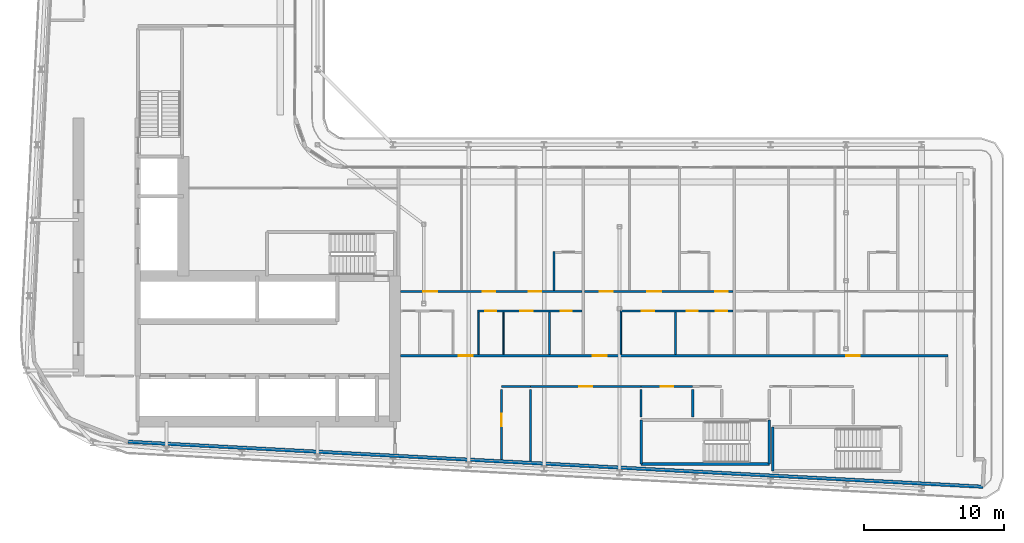
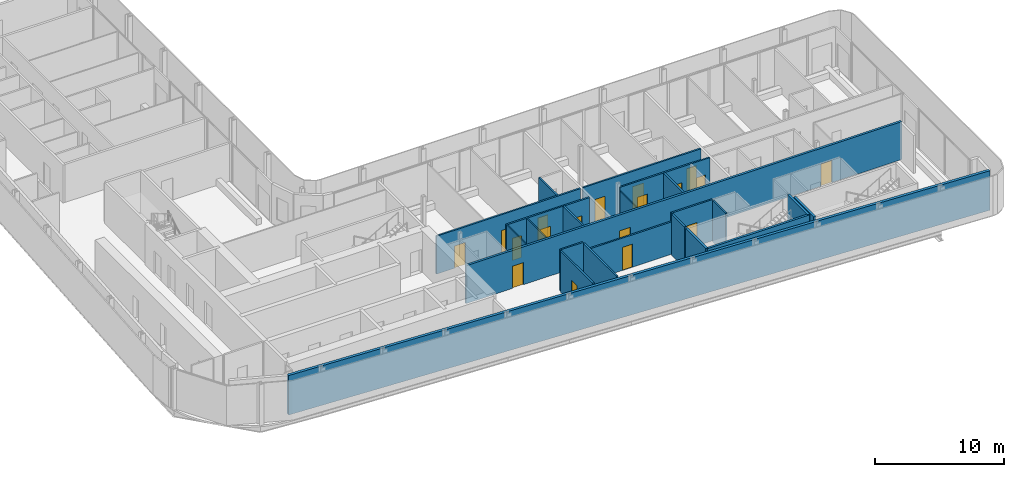
# One storey, part 17 of 30: 23 walls, 18 doors, 18 openings.
"""IFC4 building model written with IfcOpenShell, lengths in metres."""

from ifc_helpers import new_model, si_unit, direction, frame, frame_2d, origin, place, context, subcontext, project, spatial, rectangle, extrude, source, transform, mapped, material, layer, layer_set, type_object, element, fill, save


model = new_model("IFC4")

# Units and contexts
model_context = context("Model", 3, precision=1e-05, world=origin(), true_north=direction((0.0, 1.0)))
body_context = subcontext(model_context, "Body", "Model", "MODEL_VIEW")
ifc_project = project(units=[si_unit("LENGTHUNIT", "METRE"), si_unit("AREAUNIT", "SQUARE_METRE"), si_unit("VOLUMEUNIT", "CUBIC_METRE"), si_unit("PLANEANGLEUNIT", "RADIAN"), si_unit("MASSUNIT", "GRAM", prefix="KILO")], contexts=[model_context])

# Site, building, storey
site_placement = place(None, origin())
site = spatial("IfcSite", under=ifc_project, at=site_placement, CompositionType="ELEMENT")
building_placement = place(site_placement, origin())
building = spatial("IfcBuilding", under=site, at=building_placement, Name="Kheshtan School and Residences Tower", CompositionType="ELEMENT")
storey_placement = place(building_placement, frame((0.0, 0.0, 164.300048828125)))
storey = spatial("IfcBuildingStorey", under=building, at=storey_placement, Name="L38", CompositionType="ELEMENT", Elevation=164.300048828125)

# Wall, openings, doors
ifc_material_1 = material(Name="Gypsum board on steel studs with fire boards", Category="steel")
ifc_layer_1 = layer(ifc_material_1, 0.199951171875)
ifc_layer_set_1 = layer_set([ifc_layer_1], Name="Corridor wall 200")
wall_type_1 = type_object("IfcWallType", Name="Corridor wall 200", PredefinedType="PARTITIONING", material=ifc_layer_set_1)
wall_1_placement = place(storey_placement, frame((53.549072265625, 30.5, 0.0), z_axis=(0.0, 0.0, 1.0), x_axis=(1.0, 0.0, 0.0)))
wall_1 = element("IfcWall", 1, at=wall_1_placement, inside=storey, type_object=wall_type_1, Name="Partition L38-039", PredefinedType="PARTITIONING", context=body_context, shape_type="SweptSolid", body=[
    extrude(rectangle(XDim=39.15087890625, YDim=0.199951171875, at=frame_2d((19.575439453125, 0.0))), origin(), (0.0, 0.0, 1.0), 3.599853515625),
])
opening_1_placement = place(wall_1_placement, frame((4.15087890625, 0.0, 0.0)))
opening_1 = element("IfcOpeningElement", 2, at=opening_1_placement, cuts=wall_1, Name="Opening D37-005", PredefinedType="OPENING", context=body_context, shape_type="SweptSolid", body=[
    extrude(rectangle(XDim=1.0, YDim=2.10009765625, at=frame_2d((0.5, 1.050048828125))), frame((0.0, 0.10986328125, 0.0), z_axis=(0.0, -1.0, 0.0), x_axis=(1.0, 0.0, 0.0)), (0.0, 0.0, 1.0), 0.219970703125),
])
opening_2_placement = place(wall_1_placement, frame((13.7509765625, 0.0, 0.0)))
opening_2 = element("IfcOpeningElement", 3, at=opening_2_placement, cuts=wall_1, Name="Opening D37-014", PredefinedType="OPENING", context=body_context, shape_type="SweptSolid", body=[
    extrude(rectangle(XDim=1.0, YDim=2.10009765625, at=frame_2d((0.5, 1.050048828125))), frame((0.0, 0.10986328125, 0.0), z_axis=(0.0, -1.0, 0.0), x_axis=(1.0, 0.0, 0.0)), (0.0, 0.0, 1.0), 0.219970703125),
])
opening_3_placement = place(wall_1_placement, frame((31.85107421875, 0.0, 0.0)))
opening_3 = element("IfcOpeningElement", 4, at=opening_3_placement, cuts=wall_1, Name="Opening D37-023", PredefinedType="OPENING", context=body_context, shape_type="SweptSolid", body=[
    extrude(rectangle(XDim=1.0, YDim=2.10009765625, at=frame_2d((0.5, 1.050048828125))), frame((0.0, 0.10986328125, 0.0), z_axis=(0.0, -1.0, 0.0), x_axis=(1.0, 0.0, 0.0)), (0.0, 0.0, 1.0), 0.219970703125),
])
ifc_material_2 = material(Name="Steel-framed fire-resisting door leaf", Category="steel")
door_type_1 = type_object("IfcDoorType", Name="Fire door FD30S 1000 x 2100", OperationType="SINGLE_SWING_LEFT", PredefinedType="DOOR", material=ifc_material_2)
shared_shape_1 = source(origin(), body_context, "Body", "SweptSolid", [
    extrude(rectangle(XDim=1.0, YDim=2.10009765625, at=frame_2d((0.5, 1.050048828125))), frame((0.0, 0.02490234375, 0.0), z_axis=(0.0, -1.0, 0.0), x_axis=(1.0, 0.0, 0.0)), (0.0, 0.0, 1.0), 0.050048828125),
])
door_1_placement = place(opening_1_placement, origin())
door_1 = element("IfcDoor", 5, at=door_1_placement, inside=storey, type_object=door_type_1, Name="Door D37-005", OperationType="SINGLE_SWING_RIGHT", OverallHeight=2.10009765625, OverallWidth=1.0, PredefinedType="DOOR", context=body_context, shape_type="MappedRepresentation", body=[
    mapped(shared_shape_1, transform((0.0, 0.0, 0.0), x_axis=(1.0, 0.0, 0.0), y_axis=(0.0, 1.0, 0.0), z_axis=(0.0, 0.0, 1.0), scale=1.0)),
])
fill(opening_1, door_1)
door_2_placement = place(opening_2_placement, origin())
door_2 = element("IfcDoor", 6, at=door_2_placement, inside=storey, type_object=door_type_1, Name="Door D37-014", OperationType="SINGLE_SWING_LEFT", OverallHeight=2.10009765625, OverallWidth=1.0, PredefinedType="DOOR", context=body_context, shape_type="MappedRepresentation", body=[
    mapped(shared_shape_1, transform((0.0, 0.0, 0.0), x_axis=(1.0, 0.0, 0.0), y_axis=(0.0, 1.0, 0.0), z_axis=(0.0, 0.0, 1.0), scale=1.0)),
])
fill(opening_2, door_2)
door_3_placement = place(opening_3_placement, origin())
door_3 = element("IfcDoor", 7, at=door_3_placement, inside=storey, type_object=door_type_1, Name="Door D37-023", OperationType="SINGLE_SWING_RIGHT", OverallHeight=2.10009765625, OverallWidth=1.0, PredefinedType="DOOR", context=body_context, shape_type="MappedRepresentation", body=[
    mapped(shared_shape_1, transform((0.0, 0.0, 0.0), x_axis=(1.0, 0.0, 0.0), y_axis=(0.0, 1.0, 0.0), z_axis=(0.0, 0.0, 1.0), scale=1.0)),
])
fill(opening_3, door_3)

# Walls
ifc_material_3 = material(Name="Concrete C40/50 with ceramic cladding and mineral wool insulation", Category="concrete")
ifc_layer_2 = layer(ifc_material_3, 0.25)
ifc_layer_set_2 = layer_set([ifc_layer_2], Name="External wall 250 ceramic clad")
wall_type_2 = type_object("IfcWallType", Name="External wall 250 ceramic clad", PredefinedType="SOLIDWALL", material=ifc_layer_set_2)
wall_2_placement = place(storey_placement, frame((95.18603515625, 21.134033203125, 0.0), z_axis=(0.0, 0.0, 1.0), x_axis=(-0.998617201448, 0.052570761569, 0.0)))
element("IfcWall", 8, at=wall_2_placement, inside=storey, type_object=wall_type_2, Name="External wall L38 16", PredefinedType="SOLIDWALL", context=body_context, shape_type="SweptSolid", body=[
    extrude(rectangle(XDim=61.231689453125, YDim=0.25, at=frame_2d((30.61572265625, 0.0))), origin(), (0.0, 0.0, 1.0), 3.75),
])
ifc_material_4 = material(Name="Gypsum board on steel studs", Category="steel")
ifc_layer_3 = layer(ifc_material_4, 0.10009765625)
ifc_layer_set_3 = layer_set([ifc_layer_3], Name="Gypsum partition 100")
wall_type_3 = type_object("IfcWallType", Name="Gypsum partition 100", PredefinedType="PARTITIONING", material=ifc_layer_set_3)
for number, where, z_axis, x_axis, name in (
    (9, (59.10009765625, 30.60009765625, 0.0), (0.0, 0.0, 1.0), (0.0, 1.0, 0.0), "Partition L38-046"),
    (10, (60.89990234375, 30.60009765625, 0.0), (0.0, 0.0, 1.0), (0.0, 1.0, 0.0), "Partition L38-047"),
):
    element("IfcWall", number, at=place(storey_placement, frame(where, z_axis=z_axis, x_axis=x_axis)), inside=storey, type_object=wall_type_3, Name=name, PredefinedType="PARTITIONING", context=body_context, shape_type="SweptSolid", body=[
        extrude(rectangle(XDim=3.02490234375, YDim=0.10009765625, at=frame_2d((1.512451171875, 0.0))), origin(), (0.0, 0.0, 1.0), 3.599853515625),
    ])
wall_3_placement = place(storey_placement, frame((69.300048828125, 30.60009765625, 0.0), z_axis=(0.0, 0.0, 1.0), x_axis=(0.0, 1.0, 0.0)))
element("IfcWall", 11, at=wall_3_placement, inside=storey, type_object=wall_type_3, Name="Partition L38-055", PredefinedType="PARTITIONING", context=body_context, shape_type="SweptSolid", body=[
    extrude(rectangle(XDim=3.02490234375, YDim=0.10009765625, at=frame_2d((1.512451171875, 0.0))), origin(), (0.0, 0.0, 1.0), 3.217041015625),
])
ifc_material_5 = material(Name="Fire-board shaft wall system")
ifc_layer_4 = layer(ifc_material_5, 0.14990234375)
ifc_layer_set_4 = layer_set([ifc_layer_4], Name="Service room wall 150")
wall_type_4 = type_object("IfcWallType", Name="Service room wall 150", PredefinedType="PARTITIONING", material=ifc_layer_set_4)
wall_4_placement = place(storey_placement, frame((60.75, 28.300048828125, 0.0), z_axis=(0.0, 0.0, 1.0), x_axis=(1.0, 0.0, 0.0)))
element("IfcWall", 12, at=wall_4_placement, inside=storey, type_object=wall_type_4, Name="Service room wall", PredefinedType="PARTITIONING", context=body_context, shape_type="SweptSolid", body=[
    extrude(rectangle(XDim=2.069091796875, YDim=0.14990234375, at=frame_2d((1.03466796875, 0.0))), origin(), (0.0, 0.0, 1.0), 3.89990234375),
])

# Wall, opening, door
wall_5_placement = place(storey_placement, frame((60.75, 23.074951171875, 0.0), z_axis=(0.0, 0.0, 1.0), x_axis=(0.0, 1.0, 0.0)))
wall_5 = element("IfcWall", 13, at=wall_5_placement, inside=storey, type_object=wall_type_4, Name="Service room wall", PredefinedType="PARTITIONING", context=body_context, shape_type="SweptSolid", body=[
    extrude(rectangle(XDim=5.030029296875, YDim=0.14990234375, at=frame_2d((2.51513671875, 0.0))), origin(), (0.0, 0.0, 1.0), 3.89990234375),
])
opening_4_placement = place(wall_5_placement, frame((2.386962890625, 0.0, 0.0)))
opening_4 = element("IfcOpeningElement", 14, at=opening_4_placement, cuts=wall_5, Name="Opening SR90", PredefinedType="OPENING", context=body_context, shape_type="SweptSolid", body=[
    extrude(rectangle(XDim=0.89990234375, YDim=2.199951171875, at=frame_2d((0.449951171875, 1.10009765625))), frame((0.0, 0.0849609375, 0.0), z_axis=(0.0, -1.0, 0.0), x_axis=(1.0, 0.0, 0.0)), (0.0, 0.0, 1.0), 0.169921875),
])
ifc_material_6 = material(Name="Steel door leaf, galvanised", Category="steel")
door_type_2 = type_object("IfcDoorType", Name="Service room door 900 steel 90 min", OperationType="SINGLE_SWING_LEFT", PredefinedType="DOOR", material=ifc_material_6)
shared_shape_2 = source(origin(), body_context, "Body", "SweptSolid", [
    extrude(rectangle(XDim=0.89990234375, YDim=2.199951171875, at=frame_2d((0.449951171875, 1.10009765625))), frame((0.0, 0.02490234375, 0.0), z_axis=(0.0, -1.0, 0.0), x_axis=(1.0, 0.0, 0.0)), (0.0, 0.0, 1.0), 0.050048828125),
])
door_4_placement = place(opening_4_placement, origin())
door_4 = element("IfcDoor", 15, at=door_4_placement, inside=storey, type_object=door_type_2, Name="Service room door", OperationType="SINGLE_SWING_LEFT", OverallHeight=2.199951171875, OverallWidth=0.89990234375, PredefinedType="DOOR", context=body_context, shape_type="MappedRepresentation", body=[
    mapped(shared_shape_2, transform((0.0, 0.0, 0.0), x_axis=(1.0, 0.0, 0.0), y_axis=(0.0, 1.0, 0.0), z_axis=(0.0, 0.0, 1.0), scale=1.0)),
])
fill(opening_4, door_4)

# Wall
wall_6_placement = place(storey_placement, frame((62.819091796875, 22.966064453125, 0.0), z_axis=(0.0, 0.0, 1.0), x_axis=(0.0, 1.0, 0.0)))
element("IfcWall", 16, at=wall_6_placement, inside=storey, type_object=wall_type_4, Name="Service room wall", PredefinedType="PARTITIONING", context=body_context, shape_type="SweptSolid", body=[
    extrude(rectangle(XDim=5.138916015625, YDim=0.14990234375, at=frame_2d((2.5693359375, 0.0))), origin(), (0.0, 0.0, 1.0), 3.89990234375),
])

# Wall, opening, door
wall_7_placement = place(storey_placement, frame((62.819091796875, 28.300048828125, 0.0), z_axis=(0.0, 0.0, 1.0), x_axis=(1.0, 0.0, 0.0)))
wall_7 = element("IfcWall", 17, at=wall_7_placement, inside=storey, type_object=wall_type_4, Name="Service room wall", PredefinedType="PARTITIONING", context=body_context, shape_type="SweptSolid", body=[
    extrude(rectangle(XDim=7.930908203125, YDim=0.14990234375, at=frame_2d((3.96533203125, 0.0))), origin(), (0.0, 0.0, 1.0), 3.072021484375),
])
opening_5_placement = place(wall_7_placement, frame((3.514892578125, 0.0, 0.0)))
opening_5 = element("IfcOpeningElement", 18, at=opening_5_placement, cuts=wall_7, Name="Opening SR90", PredefinedType="OPENING", context=body_context, shape_type="SweptSolid", body=[
    extrude(rectangle(XDim=0.89990234375, YDim=2.199951171875, at=frame_2d((0.449951171875, 1.10009765625))), frame((0.0, 0.0849609375, 0.0), z_axis=(0.0, -1.0, 0.0), x_axis=(1.0, 0.0, 0.0)), (0.0, 0.0, 1.0), 0.169921875),
])
door_5_placement = place(opening_5_placement, origin())
door_5 = element("IfcDoor", 19, at=door_5_placement, inside=storey, type_object=door_type_2, Name="Service room door", OperationType="SINGLE_SWING_RIGHT", OverallHeight=2.199951171875, OverallWidth=0.89990234375, PredefinedType="DOOR", context=body_context, shape_type="MappedRepresentation", body=[
    mapped(shared_shape_2, transform((0.0, 0.0, 0.0), x_axis=(1.0, 0.0, 0.0), y_axis=(0.0, 1.0, 0.0), z_axis=(0.0, 0.0, 1.0), scale=1.0)),
])
fill(opening_5, door_5)

# Wall
wall_8_placement = place(storey_placement, frame((70.75, 26.1201171875, 0.0), z_axis=(0.0, 0.0, 1.0), x_axis=(0.0, 1.0, 0.0)))
element("IfcWall", 20, at=wall_8_placement, inside=storey, type_object=wall_type_4, Name="Service room wall", PredefinedType="PARTITIONING", context=body_context, shape_type="SweptSolid", body=[
    extrude(rectangle(XDim=1.98486328125, YDim=0.14990234375, at=frame_2d((0.992431640625, 0.0))), origin(), (0.0, 0.0, 1.0), 3.89990234375),
])

# Wall, opening, door
wall_9_placement = place(storey_placement, frame((70.75, 28.300048828125, 0.0), z_axis=(0.0, 0.0, 1.0), x_axis=(1.0, 0.0, 0.0)))
wall_9 = element("IfcWall", 21, at=wall_9_placement, inside=storey, type_object=wall_type_4, Name="Service room wall", PredefinedType="PARTITIONING", context=body_context, shape_type="SweptSolid", body=[
    extrude(rectangle(XDim=3.68603515625, YDim=0.14990234375, at=frame_2d((1.843017578125, 0.0))), origin(), (0.0, 0.0, 1.0), 3.89990234375),
])
opening_6_placement = place(wall_9_placement, frame((1.39306640625, 0.0, 0.0)))
opening_6 = element("IfcOpeningElement", 22, at=opening_6_placement, cuts=wall_9, Name="Opening SR90", PredefinedType="OPENING", context=body_context, shape_type="SweptSolid", body=[
    extrude(rectangle(XDim=0.89990234375, YDim=2.199951171875, at=frame_2d((0.449951171875, 1.10009765625))), frame((0.0, 0.0849609375, 0.0), z_axis=(0.0, -1.0, 0.0), x_axis=(1.0, 0.0, 0.0)), (0.0, 0.0, 1.0), 0.169921875),
])
door_6_placement = place(opening_6_placement, origin())
door_6 = element("IfcDoor", 23, at=door_6_placement, inside=storey, type_object=door_type_2, Name="Service room door", OperationType="SINGLE_SWING_LEFT", OverallHeight=2.199951171875, OverallWidth=0.89990234375, PredefinedType="DOOR", context=body_context, shape_type="MappedRepresentation", body=[
    mapped(shared_shape_2, transform((0.0, 0.0, 0.0), x_axis=(1.0, 0.0, 0.0), y_axis=(0.0, 1.0, 0.0), z_axis=(0.0, 0.0, 1.0), scale=1.0)),
])
fill(opening_6, door_6)

# Walls
wall_10_placement = place(storey_placement, frame((74.43603515625, 26.1201171875, 0.0), z_axis=(0.0, 0.0, 1.0), x_axis=(0.0, 1.0, 0.0)))
element("IfcWall", 24, at=wall_10_placement, inside=storey, type_object=wall_type_4, Name="Service room wall", PredefinedType="PARTITIONING", context=body_context, shape_type="SweptSolid", body=[
    extrude(rectangle(XDim=1.98486328125, YDim=0.14990234375, at=frame_2d((0.992431640625, 0.0))), origin(), (0.0, 0.0, 1.0), 3.89990234375),
])
ifc_material_7 = material(Name="Concrete C40/50", Category="concrete")
ifc_layer_5 = layer(ifc_material_7, 0.199951171875)
ifc_layer_set_5 = layer_set([ifc_layer_5], Name="Stair enclosure wall 200 Concrete C40/50")
wall_type_5 = type_object("IfcWallType", Name="Stair enclosure wall 200 Concrete C40/50", PredefinedType="SHEAR", material=ifc_layer_set_5)
wall_11_placement = place(storey_placement, frame((80.159912109375, 22.25, 0.0), z_axis=(0.0, 0.0, 1.0), x_axis=(0.0, 1.0, 0.0)))
element("IfcWall", 25, at=wall_11_placement, inside=storey, type_object=wall_type_5, Name="Stair enclosure wall ST4", PredefinedType="SHEAR", context=body_context, shape_type="SweptSolid", body=[
    extrude(rectangle(XDim=3.14990234375, YDim=0.199951171875, at=frame_2d((1.574951171875, 0.0))), origin(), (0.0, 0.0, 1.0), 3.89990234375),
])
wall_12_placement = place(storey_placement, frame((70.75, 22.75, 0.0), z_axis=(0.0, 0.0, 1.0), x_axis=(1.0, 0.0, 0.0)))
element("IfcWall", 26, at=wall_12_placement, inside=storey, type_object=wall_type_5, Name="Stair enclosure wall ST5", PredefinedType="SHEAR", context=body_context, shape_type="SweptSolid", body=[
    extrude(rectangle(XDim=9.159912109375, YDim=0.199951171875, at=frame_2d((4.580078125, 0.0))), origin(), (0.0, 0.0, 1.0), 3.89990234375),
])
for number, where, z_axis, x_axis, name in (
    (27, (70.75, 22.75, 0.0), (0.0, 0.0, 1.0), (0.0, 1.0, 0.0), "Stair enclosure wall ST5"),
    (28, (79.909912109375, 22.75, 0.0), (0.0, 0.0, 1.0), (0.0, 1.0, 0.0), "Stair enclosure wall ST5"),
):
    element("IfcWall", number, at=place(storey_placement, frame(where, z_axis=z_axis, x_axis=x_axis)), inside=storey, type_object=wall_type_5, Name=name, PredefinedType="SHEAR", context=body_context, shape_type="SweptSolid", body=[
        extrude(rectangle(XDim=3.14990234375, YDim=0.199951171875, at=frame_2d((1.574951171875, 0.0))), origin(), (0.0, 0.0, 1.0), 3.89990234375),
    ])

# Wall, openings, doors
ifc_material_8 = material(Name="Moisture-resistant gypsum board on steel studs", Category="steel")
ifc_layer_6 = layer(ifc_material_8, 0.14990234375)
ifc_layer_set_6 = layer_set([ifc_layer_6], Name="Wet-room partition 150")
wall_type_6 = type_object("IfcWallType", Name="Wet-room partition 150", PredefinedType="PARTITIONING", material=ifc_layer_set_6)
wall_13_placement = place(storey_placement, frame((53.549072265625, 35.10009765625, 0.0), z_axis=(0.0, 0.0, 1.0), x_axis=(1.0, 0.0, 0.0)))
wall_13 = element("IfcWall", 29, at=wall_13_placement, inside=storey, type_object=wall_type_6, Name="Partition L38-041", PredefinedType="PARTITIONING", context=body_context, shape_type="SweptSolid", body=[
    extrude(rectangle(XDim=12.950927734375, YDim=0.14990234375, at=frame_2d((6.4755859375, 0.0))), origin(), (0.0, 0.0, 1.0), 3.599853515625),
])
opening_7_placement = place(wall_13_placement, frame((5.85107421875, 0.0, 0.0)))
opening_7 = element("IfcOpeningElement", 30, at=opening_7_placement, cuts=wall_13, Name="Opening D37-002", PredefinedType="OPENING", context=body_context, shape_type="SweptSolid", body=[
    extrude(rectangle(XDim=0.89990234375, YDim=2.10009765625, at=frame_2d((0.449951171875, 1.050048828125))), frame((0.0, 0.0849609375, 0.0), z_axis=(0.0, -1.0, 0.0), x_axis=(1.0, 0.0, 0.0)), (0.0, 0.0, 1.0), 0.169921875),
])
opening_8_placement = place(wall_13_placement, frame((1.60107421875, 0.0, 0.0)))
opening_8 = element("IfcOpeningElement", 31, at=opening_8_placement, cuts=wall_13, Name="Opening D37-007", PredefinedType="OPENING", context=body_context, shape_type="SweptSolid", body=[
    extrude(rectangle(XDim=1.0, YDim=2.10009765625, at=frame_2d((0.5, 1.050048828125))), frame((0.0, 0.0849609375, 0.0), z_axis=(0.0, -1.0, 0.0), x_axis=(1.0, 0.0, 0.0)), (0.0, 0.0, 1.0), 0.169921875),
])
opening_9_placement = place(wall_13_placement, frame((9.15087890625, 0.0, 0.0)))
opening_9 = element("IfcOpeningElement", 32, at=opening_9_placement, cuts=wall_13, Name="Opening D37-008", PredefinedType="OPENING", context=body_context, shape_type="SweptSolid", body=[
    extrude(rectangle(XDim=0.89990234375, YDim=2.10009765625, at=frame_2d((0.449951171875, 1.050048828125))), frame((0.0, 0.0849609375, 0.0), z_axis=(0.0, -1.0, 0.0), x_axis=(1.0, 0.0, 0.0)), (0.0, 0.0, 1.0), 0.169921875),
])
ifc_material_9 = material(Name="Veneered timber door leaf", Category="wood")
door_type_3 = type_object("IfcDoorType", Name="Door 1000 x 2100", OperationType="SINGLE_SWING_LEFT", PredefinedType="DOOR", material=ifc_material_9)
shared_shape_3 = source(origin(), body_context, "Body", "SweptSolid", [
    extrude(rectangle(XDim=1.0, YDim=2.10009765625, at=frame_2d((0.5, 1.050048828125))), frame((0.0, 0.02490234375, 0.0), z_axis=(0.0, -1.0, 0.0), x_axis=(1.0, 0.0, 0.0)), (0.0, 0.0, 1.0), 0.050048828125),
])
door_7_placement = place(opening_8_placement, origin())
door_7 = element("IfcDoor", 33, at=door_7_placement, inside=storey, type_object=door_type_3, Name="Door D37-007", OperationType="SINGLE_SWING_RIGHT", OverallHeight=2.10009765625, OverallWidth=1.0, PredefinedType="DOOR", context=body_context, shape_type="MappedRepresentation", body=[
    mapped(shared_shape_3, transform((0.0, 0.0, 0.0), x_axis=(1.0, 0.0, 0.0), y_axis=(0.0, 1.0, 0.0), z_axis=(0.0, 0.0, 1.0), scale=1.0)),
])
fill(opening_8, door_7)
door_type_4 = type_object("IfcDoorType", Name="Door 900 x 2100", OperationType="SINGLE_SWING_LEFT", PredefinedType="DOOR", material=ifc_material_9)
shared_shape_4 = source(origin(), body_context, "Body", "SweptSolid", [
    extrude(rectangle(XDim=0.89990234375, YDim=2.10009765625, at=frame_2d((0.449951171875, 1.050048828125))), frame((0.0, 0.02490234375, 0.0), z_axis=(0.0, -1.0, 0.0), x_axis=(1.0, 0.0, 0.0)), (0.0, 0.0, 1.0), 0.050048828125),
])
door_8_placement = place(opening_7_placement, origin())
door_8 = element("IfcDoor", 34, at=door_8_placement, inside=storey, type_object=door_type_4, Name="Door D37-002", OperationType="SINGLE_SWING_RIGHT", OverallHeight=2.10009765625, OverallWidth=0.89990234375, PredefinedType="DOOR", context=body_context, shape_type="MappedRepresentation", body=[
    mapped(shared_shape_4, transform((0.0, 0.0, 0.0), x_axis=(1.0, 0.0, 0.0), y_axis=(0.0, 1.0, 0.0), z_axis=(0.0, 0.0, 1.0), scale=1.0)),
])
fill(opening_7, door_8)
door_9_placement = place(opening_9_placement, origin())
door_9 = element("IfcDoor", 35, at=door_9_placement, inside=storey, type_object=door_type_4, Name="Door D37-008", OperationType="SINGLE_SWING_LEFT", OverallHeight=2.10009765625, OverallWidth=0.89990234375, PredefinedType="DOOR", context=body_context, shape_type="MappedRepresentation", body=[
    mapped(shared_shape_4, transform((0.0, 0.0, 0.0), x_axis=(1.0, 0.0, 0.0), y_axis=(0.0, 1.0, 0.0), z_axis=(0.0, 0.0, 1.0), scale=1.0)),
])
fill(opening_9, door_9)

wall_14_placement = place(storey_placement, frame((59.050048828125, 33.699951171875, 0.0), z_axis=(0.0, 0.0, 1.0), x_axis=(1.0, 0.0, 0.0)))
wall_14 = element("IfcWall", 36, at=wall_14_placement, inside=storey, type_object=wall_type_6, Name="Partition L38-045", PredefinedType="PARTITIONING", context=body_context, shape_type="SweptSolid", body=[
    extrude(rectangle(XDim=7.449951171875, YDim=0.14990234375, at=frame_2d((3.72509765625, 0.0))), origin(), (0.0, 0.0, 1.0), 3.599853515625),
])
opening_10_placement = place(wall_14_placement, frame((5.949951171875, 0.0, 0.0)))
opening_10 = element("IfcOpeningElement", 37, at=opening_10_placement, cuts=wall_14, Name="Opening D37-001", PredefinedType="OPENING", context=body_context, shape_type="SweptSolid", body=[
    extrude(rectangle(XDim=0.800048828125, YDim=2.10009765625, at=frame_2d((0.39990234375, 1.050048828125))), frame((0.0, 0.0849609375, 0.0), z_axis=(0.0, -1.0, 0.0), x_axis=(1.0, 0.0, 0.0)), (0.0, 0.0, 1.0), 0.169921875),
])
opening_11_placement = place(wall_14_placement, frame((3.050048828125, 0.0, 0.0)))
opening_11 = element("IfcOpeningElement", 38, at=opening_11_placement, cuts=wall_14, Name="Opening D37-006", PredefinedType="OPENING", context=body_context, shape_type="SweptSolid", body=[
    extrude(rectangle(XDim=0.89990234375, YDim=2.10009765625, at=frame_2d((0.449951171875, 1.050048828125))), frame((0.0, 0.0849609375, 0.0), z_axis=(0.0, -1.0, 0.0), x_axis=(1.0, 0.0, 0.0)), (0.0, 0.0, 1.0), 0.169921875),
])
opening_12_placement = place(wall_14_placement, frame((0.550048828125, 0.0, 0.0)))
opening_12 = element("IfcOpeningElement", 39, at=opening_12_placement, cuts=wall_14, Name="Opening D37-009", PredefinedType="OPENING", context=body_context, shape_type="SweptSolid", body=[
    extrude(rectangle(XDim=0.800048828125, YDim=2.10009765625, at=frame_2d((0.39990234375, 1.050048828125))), frame((0.0, 0.0849609375, 0.0), z_axis=(0.0, -1.0, 0.0), x_axis=(1.0, 0.0, 0.0)), (0.0, 0.0, 1.0), 0.169921875),
])
door_type_5 = type_object("IfcDoorType", Name="Door 800 x 2100", OperationType="SINGLE_SWING_LEFT", PredefinedType="DOOR", material=ifc_material_9)
shared_shape_5 = source(origin(), body_context, "Body", "SweptSolid", [
    extrude(rectangle(XDim=0.800048828125, YDim=2.10009765625, at=frame_2d((0.39990234375, 1.050048828125))), frame((0.0, 0.02490234375, 0.0), z_axis=(0.0, -1.0, 0.0), x_axis=(1.0, 0.0, 0.0)), (0.0, 0.0, 1.0), 0.050048828125),
])
door_10_placement = place(opening_10_placement, origin())
door_10 = element("IfcDoor", 40, at=door_10_placement, inside=storey, type_object=door_type_5, Name="Door D37-001", OperationType="SINGLE_SWING_LEFT", OverallHeight=2.10009765625, OverallWidth=0.800048828125, PredefinedType="DOOR", context=body_context, shape_type="MappedRepresentation", body=[
    mapped(shared_shape_5, transform((0.0, 0.0, 0.0), x_axis=(1.0, 0.0, 0.0), y_axis=(0.0, 1.0, 0.0), z_axis=(0.0, 0.0, 1.0), scale=1.0)),
])
fill(opening_10, door_10)
door_11_placement = place(opening_12_placement, origin())
door_11 = element("IfcDoor", 41, at=door_11_placement, inside=storey, type_object=door_type_5, Name="Door D37-009", OperationType="SINGLE_SWING_LEFT", OverallHeight=2.10009765625, OverallWidth=0.800048828125, PredefinedType="DOOR", context=body_context, shape_type="MappedRepresentation", body=[
    mapped(shared_shape_5, transform((0.0, 0.0, 0.0), x_axis=(1.0, 0.0, 0.0), y_axis=(0.0, 1.0, 0.0), z_axis=(0.0, 0.0, 1.0), scale=1.0)),
])
fill(opening_12, door_11)
door_12_placement = place(opening_11_placement, origin())
door_12 = element("IfcDoor", 42, at=door_12_placement, inside=storey, type_object=door_type_4, Name="Door D37-006", OperationType="SINGLE_SWING_LEFT", OverallHeight=2.10009765625, OverallWidth=0.89990234375, PredefinedType="DOOR", context=body_context, shape_type="MappedRepresentation", body=[
    mapped(shared_shape_4, transform((0.0, 0.0, 0.0), x_axis=(1.0, 0.0, 0.0), y_axis=(0.0, 1.0, 0.0), z_axis=(0.0, 0.0, 1.0), scale=1.0)),
])
fill(opening_11, door_12)

# Walls
wall_15_placement = place(storey_placement, frame((64.199951171875, 30.60009765625, 0.0), z_axis=(0.0, 0.0, 1.0), x_axis=(0.0, 1.0, 0.0)))
element("IfcWall", 43, at=wall_15_placement, inside=storey, type_object=wall_type_6, Name="Partition L38-049", PredefinedType="PARTITIONING", context=body_context, shape_type="SweptSolid", body=[
    extrude(rectangle(XDim=3.02490234375, YDim=0.14990234375, at=frame_2d((1.512451171875, 0.0))), origin(), (0.0, 0.0, 1.0), 3.599853515625),
])
wall_16_placement = place(storey_placement, frame((64.5, 35.175048828125, 0.0), z_axis=(0.0, 0.0, 1.0), x_axis=(0.0, 1.0, 0.0)))
element("IfcWall", 44, at=wall_16_placement, inside=storey, type_object=wall_type_6, Name="Partition L38-050", PredefinedType="PARTITIONING", context=body_context, shape_type="SweptSolid", body=[
    extrude(rectangle(XDim=2.800048828125, YDim=0.14990234375, at=frame_2d((1.39990234375, 0.0))), origin(), (0.0, 0.0, 1.0), 3.599853515625),
])

# Wall, openings, doors
wall_17_placement = place(storey_placement, frame((66.699951171875, 35.10009765625, 0.0), z_axis=(0.0, 0.0, 1.0), x_axis=(1.0, 0.0, 0.0)))
wall_17 = element("IfcWall", 45, at=wall_17_placement, inside=storey, type_object=wall_type_6, Name="Partition L38-053", PredefinedType="PARTITIONING", context=body_context, shape_type="SweptSolid", body=[
    extrude(rectangle(XDim=10.60009765625, YDim=0.14990234375, at=frame_2d((5.300048828125, 0.0))), origin(), (0.0, 0.0, 1.0), 3.599853515625),
])
opening_13_placement = place(wall_17_placement, frame((1.10009765625, 0.0, 0.0)))
opening_13 = element("IfcOpeningElement", 46, at=opening_13_placement, cuts=wall_17, Name="Opening D37-012", PredefinedType="OPENING", context=body_context, shape_type="SweptSolid", body=[
    extrude(rectangle(XDim=0.89990234375, YDim=2.10009765625, at=frame_2d((0.449951171875, 1.050048828125))), frame((0.0, 0.0849609375, 0.0), z_axis=(0.0, -1.0, 0.0), x_axis=(1.0, 0.0, 0.0)), (0.0, 0.0, 1.0), 0.169921875),
])
opening_14_placement = place(wall_17_placement, frame((4.5, 0.0, 0.0)))
opening_14 = element("IfcOpeningElement", 47, at=opening_14_placement, cuts=wall_17, Name="Opening D37-016", PredefinedType="OPENING", context=body_context, shape_type="SweptSolid", body=[
    extrude(rectangle(XDim=1.0, YDim=2.10009765625, at=frame_2d((0.5, 1.050048828125))), frame((0.0, 0.0849609375, 0.0), z_axis=(0.0, -1.0, 0.0), x_axis=(1.0, 0.0, 0.0)), (0.0, 0.0, 1.0), 0.169921875),
])
opening_15_placement = place(wall_17_placement, frame((9.35009765625, 0.0, 0.0)))
opening_15 = element("IfcOpeningElement", 48, at=opening_15_placement, cuts=wall_17, Name="Opening D37-017", PredefinedType="OPENING", context=body_context, shape_type="SweptSolid", body=[
    extrude(rectangle(XDim=0.89990234375, YDim=2.10009765625, at=frame_2d((0.449951171875, 1.050048828125))), frame((0.0, 0.0849609375, 0.0), z_axis=(0.0, -1.0, 0.0), x_axis=(1.0, 0.0, 0.0)), (0.0, 0.0, 1.0), 0.169921875),
])
door_13_placement = place(opening_14_placement, origin())
door_13 = element("IfcDoor", 49, at=door_13_placement, inside=storey, type_object=door_type_3, Name="Door D37-016", OperationType="SINGLE_SWING_RIGHT", OverallHeight=2.10009765625, OverallWidth=1.0, PredefinedType="DOOR", context=body_context, shape_type="MappedRepresentation", body=[
    mapped(shared_shape_3, transform((0.0, 0.0, 0.0), x_axis=(1.0, 0.0, 0.0), y_axis=(0.0, 1.0, 0.0), z_axis=(0.0, 0.0, 1.0), scale=1.0)),
])
fill(opening_14, door_13)
door_14_placement = place(opening_13_placement, origin())
door_14 = element("IfcDoor", 50, at=door_14_placement, inside=storey, type_object=door_type_4, Name="Door D37-012", OperationType="SINGLE_SWING_RIGHT", OverallHeight=2.10009765625, OverallWidth=0.89990234375, PredefinedType="DOOR", context=body_context, shape_type="MappedRepresentation", body=[
    mapped(shared_shape_4, transform((0.0, 0.0, 0.0), x_axis=(1.0, 0.0, 0.0), y_axis=(0.0, 1.0, 0.0), z_axis=(0.0, 0.0, 1.0), scale=1.0)),
])
fill(opening_13, door_14)
door_15_placement = place(opening_15_placement, origin())
door_15 = element("IfcDoor", 51, at=door_15_placement, inside=storey, type_object=door_type_4, Name="Door D37-017", OperationType="SINGLE_SWING_LEFT", OverallHeight=2.10009765625, OverallWidth=0.89990234375, PredefinedType="DOOR", context=body_context, shape_type="MappedRepresentation", body=[
    mapped(shared_shape_4, transform((0.0, 0.0, 0.0), x_axis=(1.0, 0.0, 0.0), y_axis=(0.0, 1.0, 0.0), z_axis=(0.0, 0.0, 1.0), scale=1.0)),
])
fill(opening_15, door_15)

wall_18_placement = place(storey_placement, frame((69.25, 33.699951171875, 0.0), z_axis=(0.0, 0.0, 1.0), x_axis=(1.0, 0.0, 0.0)))
wall_18 = element("IfcWall", 52, at=wall_18_placement, inside=storey, type_object=wall_type_6, Name="Partition L38-054", PredefinedType="PARTITIONING", context=body_context, shape_type="SweptSolid", body=[
    extrude(rectangle(XDim=8.050048828125, YDim=0.14990234375, at=frame_2d((4.02490234375, 0.0))), origin(), (0.0, 0.0, 1.0), 3.599853515625),
])
opening_16_placement = place(wall_18_placement, frame((4.75, 0.0, 0.0)))
opening_16 = element("IfcOpeningElement", 53, at=opening_16_placement, cuts=wall_18, Name="Opening D37-011", PredefinedType="OPENING", context=body_context, shape_type="SweptSolid", body=[
    extrude(rectangle(XDim=0.800048828125, YDim=2.10009765625, at=frame_2d((0.39990234375, 1.050048828125))), frame((0.0, 0.0849609375, 0.0), z_axis=(0.0, -1.0, 0.0), x_axis=(1.0, 0.0, 0.0)), (0.0, 0.0, 1.0), 0.169921875),
])
opening_17_placement = place(wall_18_placement, frame((1.550048828125, 0.0, 0.0)))
opening_17 = element("IfcOpeningElement", 54, at=opening_17_placement, cuts=wall_18, Name="Opening D37-015", PredefinedType="OPENING", context=body_context, shape_type="SweptSolid", body=[
    extrude(rectangle(XDim=0.89990234375, YDim=2.10009765625, at=frame_2d((0.449951171875, 1.050048828125))), frame((0.0, 0.0849609375, 0.0), z_axis=(0.0, -1.0, 0.0), x_axis=(1.0, 0.0, 0.0)), (0.0, 0.0, 1.0), 0.169921875),
])
opening_18_placement = place(wall_18_placement, frame((6.85009765625, 0.0, 0.0)))
opening_18 = element("IfcOpeningElement", 55, at=opening_18_placement, cuts=wall_18, Name="Opening D37-018", PredefinedType="OPENING", context=body_context, shape_type="SweptSolid", body=[
    extrude(rectangle(XDim=0.800048828125, YDim=2.10009765625, at=frame_2d((0.39990234375, 1.050048828125))), frame((0.0, 0.0849609375, 0.0), z_axis=(0.0, -1.0, 0.0), x_axis=(1.0, 0.0, 0.0)), (0.0, 0.0, 1.0), 0.169921875),
])
door_16_placement = place(opening_16_placement, origin())
door_16 = element("IfcDoor", 56, at=door_16_placement, inside=storey, type_object=door_type_5, Name="Door D37-011", OperationType="SINGLE_SWING_LEFT", OverallHeight=2.10009765625, OverallWidth=0.800048828125, PredefinedType="DOOR", context=body_context, shape_type="MappedRepresentation", body=[
    mapped(shared_shape_5, transform((0.0, 0.0, 0.0), x_axis=(1.0, 0.0, 0.0), y_axis=(0.0, 1.0, 0.0), z_axis=(0.0, 0.0, 1.0), scale=1.0)),
])
fill(opening_16, door_16)
door_17_placement = place(opening_18_placement, origin())
door_17 = element("IfcDoor", 57, at=door_17_placement, inside=storey, type_object=door_type_5, Name="Door D37-018", OperationType="SINGLE_SWING_LEFT", OverallHeight=2.10009765625, OverallWidth=0.800048828125, PredefinedType="DOOR", context=body_context, shape_type="MappedRepresentation", body=[
    mapped(shared_shape_5, transform((0.0, 0.0, 0.0), x_axis=(1.0, 0.0, 0.0), y_axis=(0.0, 1.0, 0.0), z_axis=(0.0, 0.0, 1.0), scale=1.0)),
])
fill(opening_18, door_17)
door_18_placement = place(opening_17_placement, origin())
door_18 = element("IfcDoor", 58, at=door_18_placement, inside=storey, type_object=door_type_4, Name="Door D37-015", OperationType="SINGLE_SWING_LEFT", OverallHeight=2.10009765625, OverallWidth=0.89990234375, PredefinedType="DOOR", context=body_context, shape_type="MappedRepresentation", body=[
    mapped(shared_shape_4, transform((0.0, 0.0, 0.0), x_axis=(1.0, 0.0, 0.0), y_axis=(0.0, 1.0, 0.0), z_axis=(0.0, 0.0, 1.0), scale=1.0)),
])
fill(opening_17, door_18)

# Wall
wall_19_placement = place(storey_placement, frame((73.199951171875, 30.60009765625, 0.0), z_axis=(0.0, 0.0, 1.0), x_axis=(0.0, 1.0, 0.0)))
element("IfcWall", 59, at=wall_19_placement, inside=storey, type_object=wall_type_6, Name="Partition L38-057", PredefinedType="PARTITIONING", context=body_context, shape_type="SweptSolid", body=[
    extrude(rectangle(XDim=3.02490234375, YDim=0.14990234375, at=frame_2d((1.512451171875, 0.0))), origin(), (0.0, 0.0, 1.0), 3.599853515625),
])

save(model, "model.ifc")
